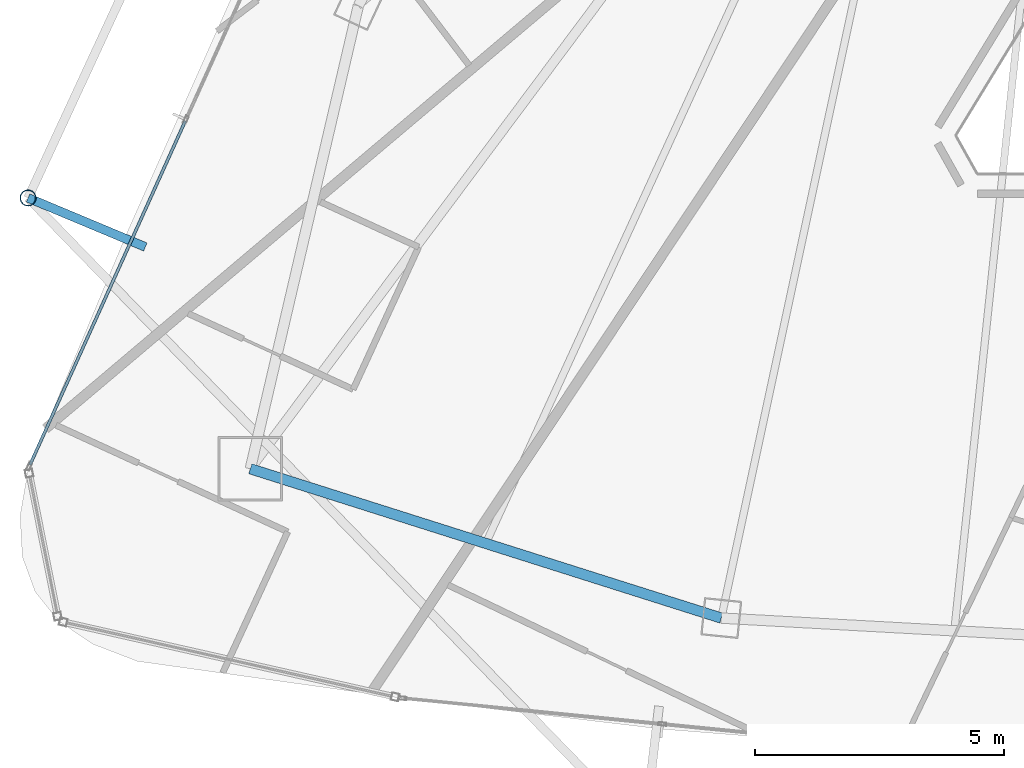
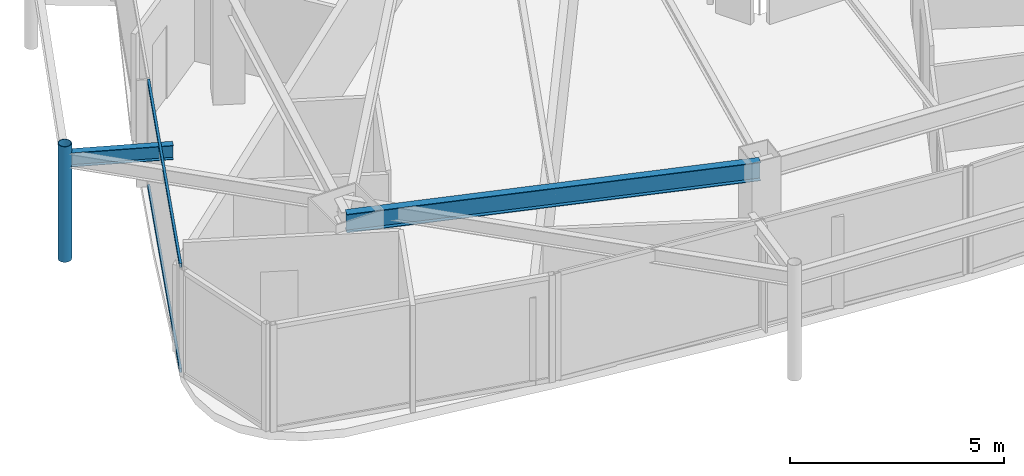
# One storey, part 5 of 33: 3 members, 2 beams, 1 element without a shape of its own.
"""IFC4 building model written with IfcOpenShell, lengths in metres."""

from ifc_helpers import new_model, si_unit, direction, frame, origin, origin_2d, place, context, subcontext, project, spatial, hollow_rectangle, hollow_circle, i_section, extrude, material, layer, layer_set, material_profile, profile_set, type_object, element, aggregate, save


model = new_model("IFC4")

# Units and contexts
model_context = context("Model", 3, precision=1e-05, world=origin(), true_north=direction((0.0, 1.0)))
body_context = subcontext(model_context, "Body", "Model", "MODEL_VIEW")
ifc_project = project(units=[si_unit("LENGTHUNIT", "METRE"), si_unit("AREAUNIT", "SQUARE_METRE"), si_unit("VOLUMEUNIT", "CUBIC_METRE"), si_unit("PLANEANGLEUNIT", "RADIAN"), si_unit("MASSUNIT", "GRAM", prefix="KILO")], contexts=[model_context])

# Site, building, storey
site_placement = place(None, origin())
site = spatial("IfcSite", under=ifc_project, at=site_placement, CompositionType="ELEMENT")
building_placement = place(site_placement, origin())
building = spatial("IfcBuilding", under=site, at=building_placement, Name="Orvanel Arch Residences", CompositionType="ELEMENT")
storey_placement = place(building_placement, frame((0.0, 0.0, 206.300048828125)))
storey = spatial("IfcBuildingStorey", under=building, at=storey_placement, Name="L58", CompositionType="ELEMENT", Elevation=206.300048828125)

# Beams
ifc_material_1 = material(Name="Structural steel AS/NZS 3679.1 Grade 300 (300 MPa)", Category="steel")
ifc_material_profile_1 = material_profile(ifc_material_1, i_section(OverallWidth=0.177978515625, OverallDepth=0.406005859375, WebThickness=0.0078125, FlangeThickness=0.0126953125, at=origin_2d()), Name="410UB59.7")
ifc_profile_set_1 = profile_set([ifc_material_profile_1], Name="Structural steel AS/NZS 3679.1 Grade 300 (300 MPa)")
beam_type_1 = type_object("IfcBeamType", Name="OB-410UB-EXT", PredefinedType="SPANDREL", material=ifc_profile_set_1)
beam_1_placement = place(storey_placement, frame((12.093017578125, 14.801025390625, 2.85693359375), z_axis=(-0.922594744226, 0.385770576803, 0.0), x_axis=(-0.385770576803, -0.922594744226, 0.0)))
element("IfcBeam", 1, at=beam_1_placement, inside=storey, type_object=beam_type_1, Name="L58 Outer Frame Radial Tie Beam 04", PredefinedType="SPANDREL", context=body_context, shape_type="SweptSolid", body=[
    extrude(i_section(OverallWidth=0.177978515625, OverallDepth=0.406005859375, WebThickness=0.0078125, FlangeThickness=0.0126953125, at=origin_2d()), origin(), (0.0, 0.0, 1.0), 2.550537109375),
])
ifc_material_profile_2 = material_profile(ifc_material_1, i_section(OverallWidth=0.208984375, OverallDepth=0.532958984375, WebThickness=0.01025390625, FlangeThickness=0.015625, at=origin_2d()), Name="530UB92.4")
ifc_profile_set_2 = profile_set([ifc_material_profile_2], Name="Structural steel AS/NZS 3679.1 Grade 300 (300 MPa)")
beam_type_2 = type_object("IfcBeamType", Name="SP-530UB", PredefinedType="SPANDREL", material=ifc_profile_set_2)
beam_2_placement = place(storey_placement, frame((14.198974609375, 10.35107421875, 2.7939453125), z_axis=(0.953237386592, -0.302222574941, 0.0), x_axis=(0.302222574941, 0.953237386592, 0.0)))
element("IfcBeam", 2, at=beam_2_placement, inside=storey, type_object=beam_type_2, Name="L58 Perimeter Spandrel Beam 02", PredefinedType="SPANDREL", context=body_context, shape_type="SweptSolid", body=[
    extrude(i_section(OverallWidth=0.208984375, OverallDepth=0.532958984375, WebThickness=0.01025390625, FlangeThickness=0.015625, at=origin_2d()), origin(), (0.0, 0.0, 1.0), 9.91357421875),
])

# Member
ifc_material_2 = material(Name="Structural steel AS/NZS 1163 C350L0 (Grade 350)", Category="steel")
ifc_material_profile_3 = material_profile(ifc_material_2, hollow_circle(Radius=0.162109375, WallThickness=0.0126953125, at=origin_2d()), Name="CHS324x12.7")
ifc_profile_set_3 = profile_set([ifc_material_profile_3], Name="Structural steel AS/NZS 1163 C350L0 (Grade 350)")
member_type_1 = type_object("IfcMemberType", Name="ST-324CHS-EXT", PredefinedType="STRUT", material=ifc_profile_set_3)
member_1_placement = place(storey_placement, frame((9.739990234375, 15.784912109375, 0.0), z_axis=(0.0, 0.0, 1.0), x_axis=(1.0, 0.0, 0.0)))
element("IfcMember", 3, at=member_1_placement, inside=storey, type_object=member_type_1, Name="L58 Outer Perimeter Frame Post 04", PredefinedType="STRUT", context=body_context, shape_type="SweptSolid", body=[
    extrude(hollow_circle(Radius=0.162109375, WallThickness=0.0126953125, at=origin_2d()), origin(), (0.0, 0.0, 1.0), 3.300048828125),
])

# Curtain wall, members
ifc_material_3 = material(Name="Bronze-anodised aluminium AA6063-T6", Category="aluminium")
ifc_layer = layer(ifc_material_3, 0.175048828125)
ifc_layer_set = layer_set([ifc_layer], Name="Bronze-anodised aluminium AA6063-T6")
curtain_wall_type = type_object("IfcCurtainWallType", Name="CW4-HI-SYS", PredefinedType="NOTDEFINED", material=ifc_layer_set)
curtain_wall_placement = place(storey_placement, origin())
curtain_wall = element("IfcCurtainWall", 4, at=curtain_wall_placement, inside=storey, type_object=curtain_wall_type, Name="L58 CW4-HI-SYS Unitised Curtain Wall", PredefinedType="NOTDEFINED")
ifc_material_profile_4 = material_profile(ifc_material_3, hollow_rectangle(XDim=0.06005859375, YDim=0.1201171875, WallThickness=0.00341796875, at=origin_2d()), Name="ALU120x60x3.5")
ifc_profile_set_4 = profile_set([ifc_material_profile_4], Name="Bronze-anodised aluminium AA6063-T6")
member_type_2 = type_object("IfcMemberType", Name="TRN-120x60", PredefinedType="USERDEFINED", material=ifc_profile_set_4)
member_2_placement = place(storey_placement, frame((12.892578125, 17.326416015625, 0.030029296875), z_axis=(-0.411514102844, -0.911403392116, 0.0), x_axis=(0.911403392116, -0.411514102844, 0.0)))
member_2 = element("IfcMember", 5, at=member_2_placement, type_object=member_type_2, Name="CW-S4 transom 2.1", ObjectType="TRANSOM", PredefinedType="USERDEFINED", context=body_context, shape_type="SweptSolid", body=[
    extrude(hollow_rectangle(XDim=0.06005859375, YDim=0.1201171875, WallThickness=0.00341796875, at=origin_2d()), origin(), (0.0, 0.0, 1.0), 7.566650390625),
])
member_3_placement = place(storey_placement, frame((12.892578125, 17.326416015625, 3.030029296875), z_axis=(-0.411514102844, -0.911403392116, 0.0), x_axis=(0.911403392116, -0.411514102844, 0.0)))
member_3 = element("IfcMember", 6, at=member_3_placement, type_object=member_type_2, Name="CW-S4 transom 2.2", ObjectType="TRANSOM", PredefinedType="USERDEFINED", context=body_context, shape_type="SweptSolid", body=[
    extrude(hollow_rectangle(XDim=0.06005859375, YDim=0.1201171875, WallThickness=0.00341796875, at=origin_2d()), origin(), (0.0, 0.0, 1.0), 7.566650390625),
])
aggregate(curtain_wall, [member_2, member_3])

save(model, "model.ifc")
